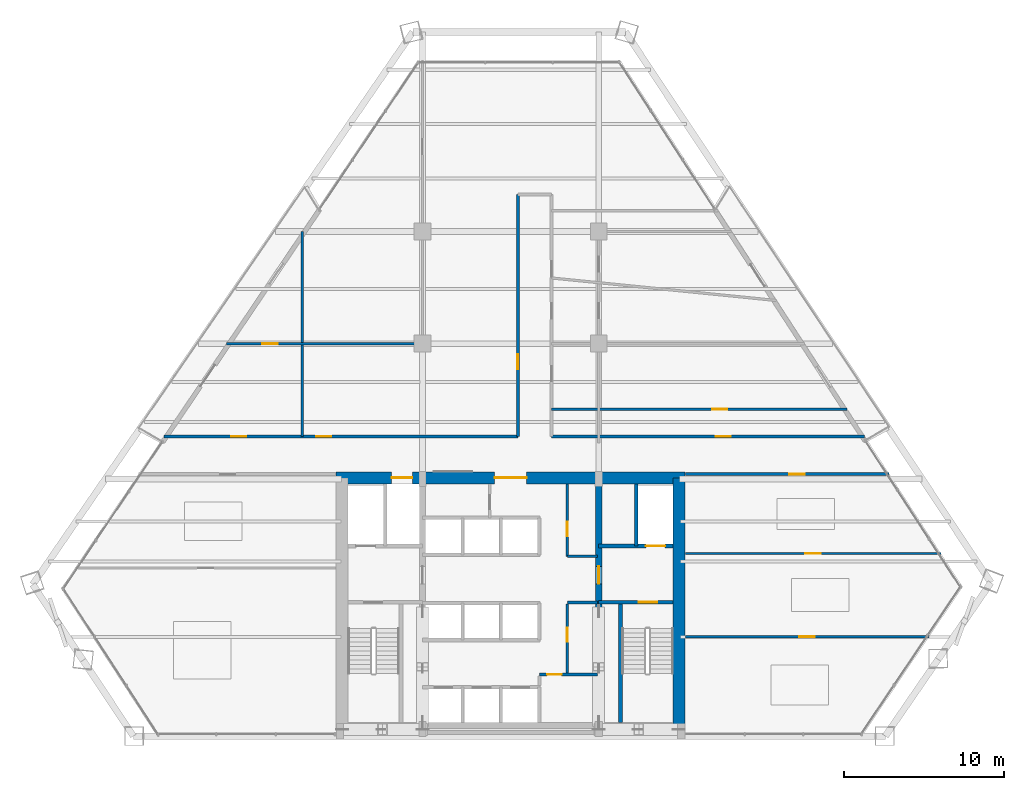
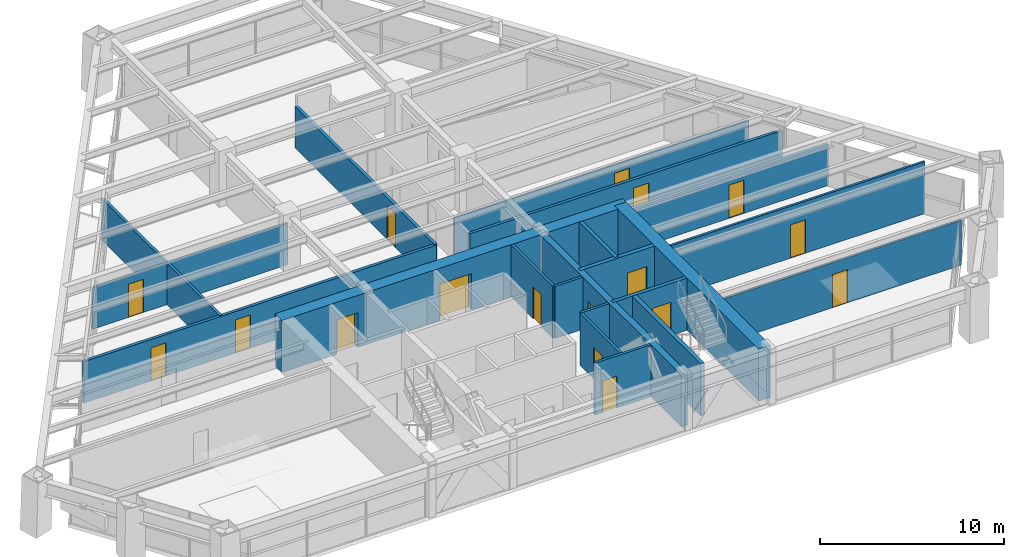
# One storey, part 11 of 14: 21 walls, 17 doors, 17 openings.
"""IFC4 building model written with IfcOpenShell, lengths in metres."""

from ifc_helpers import new_model, si_unit, direction, frame, frame_2d, origin, place, context, subcontext, project, spatial, rectangle, extrude, source, transform, mapped, material, layer, layer_set, type_object, type_shapes, element, fill, save


model = new_model("IFC4")

# Units and contexts
model_context = context("Model", 3, precision=1e-05, world=origin(), true_north=direction((0.0, 1.0)))
body_context = subcontext(model_context, "Body", "Model", "MODEL_VIEW")
ifc_project = project(units=[si_unit("LENGTHUNIT", "METRE"), si_unit("AREAUNIT", "SQUARE_METRE"), si_unit("VOLUMEUNIT", "CUBIC_METRE"), si_unit("PLANEANGLEUNIT", "RADIAN"), si_unit("MASSUNIT", "GRAM", prefix="KILO")], contexts=[model_context])

# Site, building, storey
site_placement = place(None, origin())
site = spatial("IfcSite", under=ifc_project, at=site_placement, CompositionType="ELEMENT")
building_placement = place(site_placement, origin())
building = spatial("IfcBuilding", under=site, at=building_placement, Name="Varnakhor Terracotta Tower", CompositionType="ELEMENT")
storey_placement = place(building_placement, frame((0.0, 0.0, 87.699951171875)))
storey = spatial("IfcBuildingStorey", under=building, at=storey_placement, Name="L21", CompositionType="ELEMENT", Elevation=87.699951171875)

# Wall, openings, doors
ifc_material_1 = material(Name="Concrete C60/75", Category="concrete")
ifc_layer_1 = layer(ifc_material_1, 0.75, Name="Concrete C60/75")
ifc_layer_set_1 = layer_set([ifc_layer_1], Name="Concrete C60/75")
wall_type_1 = type_object("IfcWallType", Name="WAL-CORE-750", PredefinedType="SHEAR", material=ifc_layer_set_1)
wall_1_placement = place(storey_placement, frame((-10.89990234375, 16.125, 0.0), z_axis=(0.0, 0.0, 1.0), x_axis=(1.0, 0.0, 0.0)))
wall_1 = element("IfcWall", 1, at=wall_1_placement, inside=storey, type_object=wall_type_1, Name="L21 North Core Shear Wall", PredefinedType="SHEAR", context=body_context, shape_type="SweptSolid", body=[
    extrude(rectangle(XDim=21.7998046875, YDim=0.75, at=frame_2d((10.89990234375, 0.0))), origin(), (0.0, 0.0, 1.0), 3.449951171875),
])
opening_1_placement = place(wall_1_placement, frame((3.469970703125, 0.0, 0.0)))
opening_1 = element("IfcOpeningElement", 2, at=opening_1_placement, cuts=wall_1, Name="Opening LD-03", PredefinedType="OPENING", context=body_context, shape_type="SweptSolid", body=[
    extrude(rectangle(XDim=1.300048828125, YDim=2.300048828125, at=frame_2d((0.64990234375, 1.14990234375))), frame((0.0, 0.385009765625, 0.0), z_axis=(0.0, -1.0, 0.0), x_axis=(1.0, 0.0, 0.0)), (0.0, 0.0, 1.0), 0.77001953125),
])
opening_2_placement = place(wall_1_placement, frame((9.89990234375, 0.0, 0.0)))
opening_2 = element("IfcOpeningElement", 3, at=opening_2_placement, cuts=wall_1, Name="Opening DR-32", PredefinedType="OPENING", context=body_context, shape_type="SweptSolid", body=[
    extrude(rectangle(XDim=2.0, YDim=2.39990234375, at=frame_2d((1.0, 1.199951171875))), frame((0.0, 0.385009765625, 0.0), z_axis=(0.0, -1.0, 0.0), x_axis=(1.0, 0.0, 0.0)), (0.0, 0.0, 1.0), 0.77001953125),
])
ifc_material_2 = material(Name="Heavy-Duty Goods Sliding Lift Landing Door", Category="steel")
door_type_1 = type_object("IfcDoorType", Name="LD-SRV-1300X2300", OperationType="NOTDEFINED", PredefinedType="DOOR", material=ifc_material_2)
shared_shape_1 = source(origin(), body_context, "Body", "SweptSolid", [
    extrude(rectangle(XDim=1.300048828125, YDim=2.300048828125, at=frame_2d((0.64990234375, 1.14990234375))), frame((0.0, 0.02490234375, 0.0), z_axis=(0.0, -1.0, 0.0), x_axis=(1.0, 0.0, 0.0)), (0.0, 0.0, 1.0), 0.050048828125),
])
type_shapes(door_type_1, [shared_shape_1])
door_1_placement = place(opening_1_placement, origin())
door_1 = element("IfcDoor", 4, at=door_1_placement, inside=storey, type_object=door_type_1, Name="L21 Service Lift SVL-1 Landing Door", OperationType="SLIDING_TO_RIGHT", OverallHeight=2.300048828125, OverallWidth=1.300048828125, PredefinedType="DOOR", context=body_context, shape_type="MappedRepresentation", body=[
    mapped(shared_shape_1, transform((0.0, 0.0, 0.0), scale=1.0)),
])
fill(opening_1, door_1)
ifc_material_3 = material(Name="Acoustic Double Assembly Fire Door", Category="wood")
door_type_2 = type_object("IfcDoorType", Name="DR-HALL-2000X2400", OperationType="NOTDEFINED", PredefinedType="DOOR", material=ifc_material_3)
shared_shape_2 = source(origin(), body_context, "Body", "SweptSolid", [
    extrude(rectangle(XDim=2.0, YDim=2.39990234375, at=frame_2d((1.0, 1.199951171875))), frame((0.0, 0.02490234375, 0.0), z_axis=(0.0, -1.0, 0.0), x_axis=(1.0, 0.0, 0.0)), (0.0, 0.0, 1.0), 0.050048828125),
])
type_shapes(door_type_2, [shared_shape_2])
door_2_placement = place(opening_2_placement, origin())
door_2 = element("IfcDoor", 5, at=door_2_placement, inside=storey, type_object=door_type_2, Name="L21 Core Main Lobby Double Door", OperationType="DOUBLE_DOOR_SINGLE_SWING", OverallHeight=2.39990234375, OverallWidth=2.0, PredefinedType="DOOR", context=body_context, shape_type="MappedRepresentation", body=[
    mapped(shared_shape_2, transform((0.0, 0.0, 0.0), scale=1.0)),
])
fill(opening_2, door_2)

# Wall
wall_2_placement = place(storey_placement, frame((10.52490234375, 0.47509765625, 0.0), z_axis=(0.0, 0.0, 1.0), x_axis=(0.0, 1.0, 0.0)))
element("IfcWall", 6, at=wall_2_placement, inside=storey, type_object=wall_type_1, Name="L21 East Core Shear Wall", PredefinedType="SHEAR", context=body_context, shape_type="SweptSolid", body=[
    extrude(rectangle(XDim=15.64990234375, YDim=0.75, at=frame_2d((7.824951171875, 0.0))), origin(), (0.0, 0.0, 1.0), 3.449951171875),
])

# Wall, opening, door
ifc_material_4 = material(Name="Concrete C50/60", Category="concrete")
ifc_layer_2 = layer(ifc_material_4, 0.39990234375, Name="Concrete C50/60")
ifc_layer_set_2 = layer_set([ifc_layer_2], Name="Concrete C50/60")
wall_type_2 = type_object("IfcWallType", Name="WAL-CORE-WEB-400", PredefinedType="SHEAR", material=ifc_layer_set_2)
wall_3_placement = place(storey_placement, frame((5.5, 0.47509765625, 0.0), z_axis=(0.0, 0.0, 1.0), x_axis=(0.0, 1.0, 0.0)))
wall_3 = element("IfcWall", 7, at=wall_3_placement, inside=storey, type_object=wall_type_2, Name="L21 East Core Web Shear Wall", PredefinedType="SHEAR", context=body_context, shape_type="SweptSolid", body=[
    extrude(rectangle(XDim=15.64990234375, YDim=0.39990234375, at=frame_2d((7.824951171875, 0.0))), origin(), (0.0, 0.0, 1.0), 3.449951171875),
])
opening_3_placement = place(wall_3_placement, frame((9.02490234375, 0.0, 0.0)))
opening_3 = element("IfcOpeningElement", 8, at=opening_3_placement, cuts=wall_3, Name="Opening DR-25", PredefinedType="OPENING", context=body_context, shape_type="SweptSolid", body=[
    extrude(rectangle(XDim=1.10009765625, YDim=2.199951171875, at=frame_2d((0.550048828125, 1.10009765625))), frame((0.0, 0.2099609375, 0.0), z_axis=(0.0, -1.0, 0.0), x_axis=(1.0, 0.0, 0.0)), (0.0, 0.0, 1.0), 0.419921875),
])
ifc_material_5 = material(Name="Firefighting Lobby Self-Closing Fire Door", Category="steel")
door_type_3 = type_object("IfcDoorType", Name="DR-FFL-1100X2200", OperationType="NOTDEFINED", PredefinedType="DOOR", material=ifc_material_5)
shared_shape_3 = source(origin(), body_context, "Body", "SweptSolid", [
    extrude(rectangle(XDim=1.10009765625, YDim=2.199951171875, at=frame_2d((0.550048828125, 1.10009765625))), frame((0.0, 0.02490234375, 0.0), z_axis=(0.0, -1.0, 0.0), x_axis=(1.0, 0.0, 0.0)), (0.0, 0.0, 1.0), 0.050048828125),
])
type_shapes(door_type_3, [shared_shape_3])
door_3_placement = place(opening_3_placement, origin())
door_3 = element("IfcDoor", 9, at=door_3_placement, inside=storey, type_object=door_type_3, Name="L21 East Firefighting Lobby Door", OperationType="SINGLE_SWING_LEFT", OverallHeight=2.199951171875, OverallWidth=1.10009765625, PredefinedType="DOOR", context=body_context, shape_type="MappedRepresentation", body=[
    mapped(shared_shape_3, transform((0.0, 0.0, 0.0), scale=1.0)),
])
fill(opening_3, door_3)

ifc_material_6 = material(Name="Fire-Rated Gypsum Stud Partition", Category="gypsum")
ifc_layer_3 = layer(ifc_material_6, 0.18505859375, Name="Fire-Rated Gypsum Stud Partition")
ifc_layer_set_3 = layer_set([ifc_layer_3], Name="Fire-Rated Gypsum Stud Partition")
wall_type_3 = type_object("IfcWallType", Name="WAL-CORR-185", PredefinedType="PARTITIONING", material=ifc_layer_set_3)
wall_4_placement = place(storey_placement, frame((10.919921875, 16.35009765625, 0.0), z_axis=(0.0, 0.0, 1.0), x_axis=(1.0, 0.0, 0.0)))
wall_4 = element("IfcWall", 10, at=wall_4_placement, inside=storey, type_object=wall_type_3, Name="L21 South East Corridor Wall", PredefinedType="PARTITIONING", context=body_context, shape_type="SweptSolid", body=[
    extrude(rectangle(XDim=12.71337890625, YDim=0.18505859375, at=frame_2d((6.356689453125, 0.0))), origin(), (0.0, 0.0, 1.0), 2.7470703125),
])
opening_4_placement = place(wall_4_placement, frame((6.4833984375, 0.0, 0.0)))
opening_4 = element("IfcOpeningElement", 11, at=opening_4_placement, cuts=wall_4, Name="Opening DR-94", PredefinedType="OPENING", context=body_context, shape_type="SweptSolid", body=[
    extrude(rectangle(XDim=0.949951171875, YDim=2.199951171875, at=frame_2d((0.47509765625, 1.10009765625))), frame((0.0, 0.1025390625, 0.0), z_axis=(0.0, -1.0, 0.0), x_axis=(1.0, 0.0, 0.0)), (0.0, 0.0, 1.0), 0.205078125),
])
ifc_material_7 = material(Name="Acoustic Glazed-Vision Timber Office Door", Category="wood")
door_type_4 = type_object("IfcDoorType", Name="DR-OFF-950X2200", OperationType="NOTDEFINED", PredefinedType="DOOR", material=ifc_material_7)
shared_shape_4 = source(origin(), body_context, "Body", "SweptSolid", [
    extrude(rectangle(XDim=0.949951171875, YDim=2.199951171875, at=frame_2d((0.47509765625, 1.10009765625))), frame((0.0, 0.02490234375, 0.0), z_axis=(0.0, -1.0, 0.0), x_axis=(1.0, 0.0, 0.0)), (0.0, 0.0, 1.0), 0.050048828125),
])
type_shapes(door_type_4, [shared_shape_4])
door_4_placement = place(opening_4_placement, origin())
door_4 = element("IfcDoor", 12, at=door_4_placement, inside=storey, type_object=door_type_4, Name="L21 SE Suite Door", OperationType="SINGLE_SWING_LEFT", OverallHeight=2.199951171875, OverallWidth=0.949951171875, PredefinedType="DOOR", context=body_context, shape_type="MappedRepresentation", body=[
    mapped(shared_shape_4, transform((0.0, 0.0, 0.0), scale=1.0)),
])
fill(opening_4, door_4)

# Wall, openings, doors
wall_5_placement = place(storey_placement, frame((-21.6435546875, 18.699951171875, 0.0), z_axis=(0.0, 0.0, 1.0), x_axis=(1.0, 0.0, 0.0)))
wall_5 = element("IfcWall", 13, at=wall_5_placement, inside=storey, type_object=wall_type_3, Name="L21 Corridor North West Wall", PredefinedType="PARTITIONING", context=body_context, shape_type="SweptSolid", body=[
    extrude(rectangle(XDim=22.093505859375, YDim=0.18505859375, at=frame_2d((11.046875, 0.0))), origin(), (0.0, 0.0, 1.0), 2.7470703125),
])
opening_5_placement = place(wall_5_placement, frame((9.501220703125, 0.0, 0.0)))
opening_5 = element("IfcOpeningElement", 14, at=opening_5_placement, cuts=wall_5, Name="Opening DR-94", PredefinedType="OPENING", context=body_context, shape_type="SweptSolid", body=[
    extrude(rectangle(XDim=0.949951171875, YDim=2.199951171875, at=frame_2d((0.47509765625, 1.10009765625))), frame((0.0, 0.1025390625, 0.0), z_axis=(0.0, -1.0, 0.0), x_axis=(1.0, 0.0, 0.0)), (0.0, 0.0, 1.0), 0.205078125),
])
opening_6_placement = place(wall_5_placement, frame((4.200927734375, 0.0, 0.0)))
opening_6 = element("IfcOpeningElement", 15, at=opening_6_placement, cuts=wall_5, Name="Opening DR-94", PredefinedType="OPENING", context=body_context, shape_type="SweptSolid", body=[
    extrude(rectangle(XDim=0.949951171875, YDim=2.199951171875, at=frame_2d((0.47509765625, 1.10009765625))), frame((0.0, 0.1025390625, 0.0), z_axis=(0.0, -1.0, 0.0), x_axis=(1.0, 0.0, 0.0)), (0.0, 0.0, 1.0), 0.205078125),
])
door_5_placement = place(opening_5_placement, origin())
door_5 = element("IfcDoor", 16, at=door_5_placement, inside=storey, type_object=door_type_4, Name="L21 West Workplace Door", OperationType="SINGLE_SWING_RIGHT", OverallHeight=2.199951171875, OverallWidth=0.949951171875, PredefinedType="DOOR", context=body_context, shape_type="MappedRepresentation", body=[
    mapped(shared_shape_4, transform((0.0, 0.0, 0.0), scale=1.0)),
])
fill(opening_5, door_5)
door_6_placement = place(opening_6_placement, origin())
door_6 = element("IfcDoor", 17, at=door_6_placement, inside=storey, type_object=door_type_4, Name="L21 Corporate Anchor Suite West Door", OperationType="SINGLE_SWING_RIGHT", OverallHeight=2.199951171875, OverallWidth=0.949951171875, PredefinedType="DOOR", context=body_context, shape_type="MappedRepresentation", body=[
    mapped(shared_shape_4, transform((0.0, 0.0, 0.0), scale=1.0)),
])
fill(opening_6, door_6)

# Wall, opening, door
wall_6_placement = place(storey_placement, frame((2.550048828125, 18.699951171875, 0.0), z_axis=(0.0, 0.0, 1.0), x_axis=(1.0, 0.0, 0.0)))
wall_6 = element("IfcWall", 18, at=wall_6_placement, inside=storey, type_object=wall_type_3, Name="L21 Corridor North East Wall", PredefinedType="PARTITIONING", context=body_context, shape_type="SweptSolid", body=[
    extrude(rectangle(XDim=19.555419921875, YDim=0.18505859375, at=frame_2d((9.77783203125, 0.0))), origin(), (0.0, 0.0, 1.0), 2.7470703125),
])
opening_7_placement = place(wall_6_placement, frame((10.24658203125, 0.0, 0.0)))
opening_7 = element("IfcOpeningElement", 19, at=opening_7_placement, cuts=wall_6, Name="Opening DR-94", PredefinedType="OPENING", context=body_context, shape_type="SweptSolid", body=[
    extrude(rectangle(XDim=0.949951171875, YDim=2.199951171875, at=frame_2d((0.47509765625, 1.10009765625))), frame((0.0, 0.1025390625, 0.0), z_axis=(0.0, -1.0, 0.0), x_axis=(1.0, 0.0, 0.0)), (0.0, 0.0, 1.0), 0.205078125),
])
door_7_placement = place(opening_7_placement, origin())
door_7 = element("IfcDoor", 20, at=door_7_placement, inside=storey, type_object=door_type_4, Name="L21 East Workplace Door", OperationType="SINGLE_SWING_LEFT", OverallHeight=2.199951171875, OverallWidth=0.949951171875, PredefinedType="DOOR", context=body_context, shape_type="MappedRepresentation", body=[
    mapped(shared_shape_4, transform((0.0, 0.0, 0.0), scale=1.0)),
])
fill(opening_7, door_7)

wall_7_placement = place(storey_placement, frame((0.449951171875, 18.699951171875, 0.0), z_axis=(0.0, 0.0, 1.0), x_axis=(0.0, 1.0, 0.0)))
wall_7 = element("IfcWall", 21, at=wall_7_placement, inside=storey, type_object=wall_type_3, Name="L21 Spine West Wall", PredefinedType="PARTITIONING", context=body_context, shape_type="SweptSolid", body=[
    extrude(rectangle(XDim=15.10009765625, YDim=0.18505859375, at=frame_2d((7.550048828125, 0.0))), origin(), (0.0, 0.0, 1.0), 2.7470703125),
])
opening_8_placement = place(wall_7_placement, frame((4.19091796875, 0.0, 0.0)))
opening_8 = element("IfcOpeningElement", 22, at=opening_8_placement, cuts=wall_7, Name="Opening DR-94", PredefinedType="OPENING", context=body_context, shape_type="SweptSolid", body=[
    extrude(rectangle(XDim=0.949951171875, YDim=2.199951171875, at=frame_2d((0.47509765625, 1.10009765625))), frame((0.0, 0.1025390625, 0.0), z_axis=(0.0, -1.0, 0.0), x_axis=(1.0, 0.0, 0.0)), (0.0, 0.0, 1.0), 0.205078125),
])
door_8_placement = place(opening_8_placement, origin())
door_8 = element("IfcDoor", 23, at=door_8_placement, inside=storey, type_object=door_type_4, Name="L21 Spine West Door", OperationType="SINGLE_SWING_RIGHT", OverallHeight=2.199951171875, OverallWidth=0.949951171875, PredefinedType="DOOR", context=body_context, shape_type="MappedRepresentation", body=[
    mapped(shared_shape_4, transform((0.0, 0.0, 0.0), scale=1.0)),
])
fill(opening_8, door_8)

ifc_material_8 = material(Name="Concrete C40/50", Category="concrete")
ifc_layer_4 = layer(ifc_material_8, 0.219970703125, Name="Concrete C40/50")
ifc_layer_set_4 = layer_set([ifc_layer_4], Name="Concrete C40/50")
wall_type_4 = type_object("IfcWallType", Name="WAL-FFLOBBY-220", PredefinedType="SOLIDWALL", material=ifc_layer_set_4)
wall_8_placement = place(storey_placement, frame((10.14990234375, 8.35009765625, 0.0), z_axis=(0.0, 0.0, 1.0), x_axis=(-1.0, 0.0, 0.0)))
wall_8 = element("IfcWall", 24, at=wall_8_placement, inside=storey, type_object=wall_type_4, Name="L21 East Firefighting Lobby Stair Wall", PredefinedType="SOLIDWALL", context=body_context, shape_type="SweptSolid", body=[
    extrude(rectangle(XDim=4.64990234375, YDim=0.219970703125, at=frame_2d((2.324951171875, 0.0))), origin(), (0.0, 0.0, 1.0), 3.449951171875),
])
opening_9_placement = place(wall_8_placement, frame((1.0, 0.0, 0.0)))
opening_9 = element("IfcOpeningElement", 25, at=opening_9_placement, cuts=wall_8, Name="Opening DR-34", PredefinedType="OPENING", context=body_context, shape_type="SweptSolid", body=[
    extrude(rectangle(XDim=1.14990234375, YDim=2.199951171875, at=frame_2d((0.574951171875, 1.10009765625))), frame((0.0, 0.1201171875, 0.0), z_axis=(0.0, -1.0, 0.0), x_axis=(1.0, 0.0, 0.0)), (0.0, 0.0, 1.0), 0.239990234375),
])
ifc_material_9 = material(Name="Self-Closing Smoke-Sealed Steel Fire Door", Category="steel")
door_type_5 = type_object("IfcDoorType", Name="DR-STAIR-1150X2200", OperationType="NOTDEFINED", PredefinedType="DOOR", material=ifc_material_9)
shared_shape_5 = source(origin(), body_context, "Body", "SweptSolid", [
    extrude(rectangle(XDim=1.14990234375, YDim=2.199951171875, at=frame_2d((0.574951171875, 1.10009765625))), frame((0.0, 0.02490234375, 0.0), z_axis=(0.0, -1.0, 0.0), x_axis=(1.0, 0.0, 0.0)), (0.0, 0.0, 1.0), 0.050048828125),
])
type_shapes(door_type_5, [shared_shape_5])
door_9_placement = place(opening_9_placement, origin())
door_9 = element("IfcDoor", 26, at=door_9_placement, inside=storey, type_object=door_type_5, Name="L21 Exit Stair ST-2 Fire Door", OperationType="SINGLE_SWING_RIGHT", OverallHeight=2.199951171875, OverallWidth=1.14990234375, PredefinedType="DOOR", context=body_context, shape_type="MappedRepresentation", body=[
    mapped(shared_shape_5, transform((0.0, 0.0, 0.0), scale=1.0)),
])
fill(opening_9, door_9)

ifc_material_10 = material(Name="Acoustic Metal-Stud Partition", Category="gypsum")
ifc_layer_5 = layer(ifc_material_10, 0.139892578125, Name="Acoustic Metal-Stud Partition")
ifc_layer_set_5 = layer_set([ifc_layer_5], Name="Acoustic Metal-Stud Partition")
wall_type_5 = type_object("IfcWallType", Name="WAL-PART-140", PredefinedType="PARTITIONING", material=ifc_layer_set_5)
wall_9_placement = place(storey_placement, frame((-17.72998046875, 24.5, 0.0), z_axis=(0.0, 0.0, 1.0), x_axis=(1.0, 0.0, 0.0)))
wall_9 = element("IfcWall", 27, at=wall_9_placement, inside=storey, type_object=wall_type_5, Name="L21 Mid West Column Wall", PredefinedType="PARTITIONING", context=body_context, shape_type="SweptSolid", body=[
    extrude(rectangle(XDim=12.22998046875, YDim=0.139892578125, at=frame_2d((6.114990234375, 0.0))), origin(), (0.0, 0.0, 1.0), 2.7470703125),
])
opening_10_placement = place(wall_9_placement, frame((2.234619140625, 0.0, 0.0)))
opening_10 = element("IfcOpeningElement", 28, at=opening_10_placement, cuts=wall_9, Name="Opening DR-94", PredefinedType="OPENING", context=body_context, shape_type="SweptSolid", body=[
    extrude(rectangle(XDim=0.949951171875, YDim=2.199951171875, at=frame_2d((0.47509765625, 1.10009765625))), frame((0.0, 0.080078125, 0.0), z_axis=(0.0, -1.0, 0.0), x_axis=(1.0, 0.0, 0.0)), (0.0, 0.0, 1.0), 0.159912109375),
])
door_10_placement = place(opening_10_placement, origin())
door_10 = element("IfcDoor", 29, at=door_10_placement, inside=storey, type_object=door_type_4, Name="L21 Advisory Office E3 Door", OperationType="SINGLE_SWING_RIGHT", OverallHeight=2.199951171875, OverallWidth=0.949951171875, PredefinedType="DOOR", context=body_context, shape_type="MappedRepresentation", body=[
    mapped(shared_shape_4, transform((0.0, 0.0, 0.0), scale=1.0)),
])
fill(opening_10, door_10)

wall_10_placement = place(storey_placement, frame((2.550048828125, 20.39990234375, 0.0), z_axis=(0.0, 0.0, 1.0), x_axis=(1.0, 0.0, 0.0)))
wall_10 = element("IfcWall", 30, at=wall_10_placement, inside=storey, type_object=wall_type_5, Name="L21 East Wing Cut 1", PredefinedType="PARTITIONING", context=body_context, shape_type="SweptSolid", body=[
    extrude(rectangle(XDim=18.450439453125, YDim=0.139892578125, at=frame_2d((9.22509765625, 0.0))), origin(), (0.0, 0.0, 1.0), 2.7470703125),
])
opening_11_placement = place(wall_10_placement, frame((10.028564453125, 0.0, 0.0)))
opening_11 = element("IfcOpeningElement", 31, at=opening_11_placement, cuts=wall_10, Name="Opening DR-94", PredefinedType="OPENING", context=body_context, shape_type="SweptSolid", body=[
    extrude(rectangle(XDim=0.949951171875, YDim=2.199951171875, at=frame_2d((0.47509765625, 1.10009765625))), frame((0.0, 0.080078125, 0.0), z_axis=(0.0, -1.0, 0.0), x_axis=(1.0, 0.0, 0.0)), (0.0, 0.0, 1.0), 0.159912109375),
])
door_11_placement = place(opening_11_placement, origin())
door_11 = element("IfcDoor", 32, at=door_11_placement, inside=storey, type_object=door_type_4, Name="L21 Advisory Office E1 B9 Door", OperationType="SINGLE_SWING_LEFT", OverallHeight=2.199951171875, OverallWidth=0.949951171875, PredefinedType="DOOR", context=body_context, shape_type="MappedRepresentation", body=[
    mapped(shared_shape_4, transform((0.0, 0.0, 0.0), scale=1.0)),
])
fill(opening_11, door_11)

wall_11_placement = place(storey_placement, frame((10.919921875, 6.199951171875, 0.0), z_axis=(0.0, 0.0, 1.0), x_axis=(1.0, 0.0, 0.0)))
wall_11 = element("IfcWall", 33, at=wall_11_placement, inside=storey, type_object=wall_type_5, Name="L21 South East Cut 1", PredefinedType="PARTITIONING", context=body_context, shape_type="SweptSolid", body=[
    extrude(rectangle(XDim=15.188720703125, YDim=0.139892578125, at=frame_2d((7.59423828125, 0.0))), origin(), (0.0, 0.0, 1.0), 2.97900390625),
])
opening_12_placement = place(wall_11_placement, frame((7.107177734375, 0.0, 0.0)))
opening_12 = element("IfcOpeningElement", 34, at=opening_12_placement, cuts=wall_11, Name="Opening DR-94", PredefinedType="OPENING", context=body_context, shape_type="SweptSolid", body=[
    extrude(rectangle(XDim=0.949951171875, YDim=2.199951171875, at=frame_2d((0.47509765625, 1.10009765625))), frame((0.0, 0.080078125, 0.0), z_axis=(0.0, -1.0, 0.0), x_axis=(1.0, 0.0, 0.0)), (0.0, 0.0, 1.0), 0.159912109375),
])
door_12_placement = place(opening_12_placement, origin())
door_12 = element("IfcDoor", 35, at=door_12_placement, inside=storey, type_object=door_type_4, Name="L21 South East Conference Room Door", OperationType="SINGLE_SWING_RIGHT", OverallHeight=2.199951171875, OverallWidth=0.949951171875, PredefinedType="DOOR", context=body_context, shape_type="MappedRepresentation", body=[
    mapped(shared_shape_4, transform((0.0, 0.0, 0.0), scale=1.0)),
])
fill(opening_12, door_12)

wall_12_placement = place(storey_placement, frame((10.919921875, 11.39990234375, 0.0), z_axis=(0.0, 0.0, 1.0), x_axis=(1.0, 0.0, 0.0)))
wall_12 = element("IfcWall", 36, at=wall_12_placement, inside=storey, type_object=wall_type_5, Name="L21 South East Cut 2", PredefinedType="PARTITIONING", context=body_context, shape_type="SweptSolid", body=[
    extrude(rectangle(XDim=15.93115234375, YDim=0.139892578125, at=frame_2d((7.965576171875, 0.0))), origin(), (0.0, 0.0, 1.0), 3.442138671875),
])
opening_13_placement = place(wall_12_placement, frame((7.481201171875, 0.0, 0.0)))
opening_13 = element("IfcOpeningElement", 37, at=opening_13_placement, cuts=wall_12, Name="Opening DR-94", PredefinedType="OPENING", context=body_context, shape_type="SweptSolid", body=[
    extrude(rectangle(XDim=0.949951171875, YDim=2.199951171875, at=frame_2d((0.47509765625, 1.10009765625))), frame((0.0, 0.080078125, 0.0), z_axis=(0.0, -1.0, 0.0), x_axis=(1.0, 0.0, 0.0)), (0.0, 0.0, 1.0), 0.159912109375),
])
door_13_placement = place(opening_13_placement, origin())
door_13 = element("IfcDoor", 38, at=door_13_placement, inside=storey, type_object=door_type_4, Name="L21 Advisory Office E3 B3 Door", OperationType="SINGLE_SWING_LEFT", OverallHeight=2.199951171875, OverallWidth=0.949951171875, PredefinedType="DOOR", context=body_context, shape_type="MappedRepresentation", body=[
    mapped(shared_shape_4, transform((0.0, 0.0, 0.0), scale=1.0)),
])
fill(opening_13, door_13)

# Walls
ifc_layer_6 = layer(ifc_material_8, 0.219970703125, Name="Concrete C40/50")
ifc_layer_set_6 = layer_set([ifc_layer_6], Name="Concrete C40/50")
wall_type_6 = type_object("IfcWallType", Name="WAL-SHAFT-220", PredefinedType="SOLIDWALL", material=ifc_layer_set_6)
wall_13_placement = place(storey_placement, frame((7.840087890625, 11.8701171875, 0.0), z_axis=(0.0, 0.0, 1.0), x_axis=(0.0, 1.0, 0.0)))
element("IfcWall", 39, at=wall_13_placement, inside=storey, type_object=wall_type_6, Name="L21 Lift FFL-2 and Riser Divider Wall", PredefinedType="SOLIDWALL", context=body_context, shape_type="SweptSolid", body=[
    extrude(rectangle(XDim=3.8798828125, YDim=0.219970703125, at=frame_2d((1.93994140625, 0.0))), origin(), (0.0, 0.0, 1.0), 3.449951171875),
])
ifc_layer_7 = layer(ifc_material_8, 0.25, Name="Concrete C40/50")
ifc_layer_set_7 = layer_set([ifc_layer_7], Name="Concrete C40/50")
wall_type_7 = type_object("IfcWallType", Name="WAL-SHAFT-250", PredefinedType="SOLIDWALL", material=ifc_layer_set_7)
wall_14_placement = place(storey_placement, frame((6.85009765625, 0.85009765625, 0.0), z_axis=(0.0, 0.0, 1.0), x_axis=(0.0, 1.0, 0.0)))
element("IfcWall", 40, at=wall_14_placement, inside=storey, type_object=wall_type_7, Name="L21 Stair ST-2 Bearing Shaft Wall", PredefinedType="SOLIDWALL", context=body_context, shape_type="SweptSolid", body=[
    extrude(rectangle(XDim=7.5, YDim=0.25, at=frame_2d((3.75, 0.0))), origin(), (0.0, 0.0, 1.0), 3.449951171875),
])

# Wall, opening, door
wall_15_placement = place(storey_placement, frame((10.14990234375, 11.8701171875, 0.0), z_axis=(0.0, 0.0, 1.0), x_axis=(-1.0, 0.0, 0.0)))
wall_15 = element("IfcWall", 41, at=wall_15_placement, inside=storey, type_object=wall_type_7, Name="L21 Lift FFL-2 Shaft Front Wall", PredefinedType="SOLIDWALL", context=body_context, shape_type="SweptSolid", body=[
    extrude(rectangle(XDim=4.64990234375, YDim=0.25, at=frame_2d((2.324951171875, 0.0))), origin(), (0.0, 0.0, 1.0), 3.449951171875),
])
opening_14_placement = place(wall_15_placement, frame((0.5, 0.0, 0.0)))
opening_14 = element("IfcOpeningElement", 42, at=opening_14_placement, cuts=wall_15, Name="Opening LD-02", PredefinedType="OPENING", context=body_context, shape_type="SweptSolid", body=[
    extrude(rectangle(XDim=1.199951171875, YDim=2.25, at=frame_2d((0.60009765625, 1.125))), frame((0.0, 0.135009765625, 0.0), z_axis=(0.0, -1.0, 0.0), x_axis=(1.0, 0.0, 0.0)), (0.0, 0.0, 1.0), 0.27001953125),
])
ifc_material_11 = material(Name="Firefighting Stretcher Sliding Lift Landing Door", Category="steel")
door_type_6 = type_object("IfcDoorType", Name="LD-FFL-1200X2250", OperationType="NOTDEFINED", PredefinedType="DOOR", material=ifc_material_11)
shared_shape_6 = source(origin(), body_context, "Body", "SweptSolid", [
    extrude(rectangle(XDim=1.199951171875, YDim=2.25, at=frame_2d((0.60009765625, 1.125))), frame((0.0, 0.02490234375, 0.0), z_axis=(0.0, -1.0, 0.0), x_axis=(1.0, 0.0, 0.0)), (0.0, 0.0, 1.0), 0.050048828125),
])
type_shapes(door_type_6, [shared_shape_6])
door_14_placement = place(opening_14_placement, origin())
door_14 = element("IfcDoor", 43, at=door_14_placement, inside=storey, type_object=door_type_6, Name="L21 Firefighting Lift FFL-2 Landing Door", OperationType="SLIDING_TO_RIGHT", OverallHeight=2.25, OverallWidth=1.199951171875, PredefinedType="DOOR", context=body_context, shape_type="MappedRepresentation", body=[
    mapped(shared_shape_6, transform((0.0, 0.0, 0.0), scale=1.0)),
])
fill(opening_14, door_14)

ifc_material_12 = material(Name="Acoustic Fire-Rated Partition", Category="gypsum")
ifc_layer_8 = layer(ifc_material_12, 0.1650390625, Name="Acoustic Fire-Rated Partition")
ifc_layer_set_8 = layer_set([ifc_layer_8], Name="Acoustic Fire-Rated Partition")
wall_type_8 = type_object("IfcWallType", Name="WAL-TENANCY-165", PredefinedType="PARTITIONING", material=ifc_layer_set_8)
wall_16_placement = place(storey_placement, frame((3.5400390625, 3.9326171875, 0.0), z_axis=(0.0, 0.0, 1.0), x_axis=(0.0, 1.0, 0.0)))
wall_16 = element("IfcWall", 44, at=wall_16_placement, inside=storey, type_object=wall_type_8, Name="L21 Core Service Rated Wall", PredefinedType="PARTITIONING", context=body_context, shape_type="SweptSolid", body=[
    extrude(rectangle(XDim=4.324951171875, YDim=0.1650390625, at=frame_2d((2.16259765625, 0.0))), origin(), (0.0, 0.0, 1.0), 3.442138671875),
])
opening_15_placement = place(wall_16_placement, frame((1.9462890625, 0.0, 0.0)))
opening_15 = element("IfcOpeningElement", 45, at=opening_15_placement, cuts=wall_16, Name="Opening DR-67", PredefinedType="OPENING", context=body_context, shape_type="SweptSolid", body=[
    extrude(rectangle(XDim=0.89990234375, YDim=2.10009765625, at=frame_2d((0.449951171875, 1.050048828125))), frame((0.0, 0.092529296875, 0.0), z_axis=(0.0, -1.0, 0.0), x_axis=(1.0, 0.0, 0.0)), (0.0, 0.0, 1.0), 0.18505859375),
])
ifc_material_13 = material(Name="Steel Service Riser Fire Door", Category="steel")
door_type_7 = type_object("IfcDoorType", Name="DR-RISER-900X2100", OperationType="NOTDEFINED", PredefinedType="DOOR", material=ifc_material_13)
shared_shape_7 = source(origin(), body_context, "Body", "SweptSolid", [
    extrude(rectangle(XDim=0.89990234375, YDim=2.10009765625, at=frame_2d((0.449951171875, 1.050048828125))), frame((0.0, 0.02490234375, 0.0), z_axis=(0.0, -1.0, 0.0), x_axis=(1.0, 0.0, 0.0)), (0.0, 0.0, 1.0), 0.050048828125),
])
type_shapes(door_type_7, [shared_shape_7])
door_15_placement = place(opening_15_placement, origin())
door_15 = element("IfcDoor", 46, at=door_15_placement, inside=storey, type_object=door_type_7, Name="L21 Core Accessible WC Door", OperationType="SINGLE_SWING_LEFT", OverallHeight=2.10009765625, OverallWidth=0.89990234375, PredefinedType="DOOR", context=body_context, shape_type="MappedRepresentation", body=[
    mapped(shared_shape_7, transform((0.0, 0.0, 0.0), scale=1.0)),
])
fill(opening_15, door_15)

# Wall
wall_17_placement = place(storey_placement, frame((3.5400390625, 8.340087890625, 0.0), z_axis=(0.0, 0.0, 1.0), x_axis=(1.0, 0.0, 0.0)))
element("IfcWall", 47, at=wall_17_placement, inside=storey, type_object=wall_type_8, Name="L21 Accessible WC North Wall", PredefinedType="PARTITIONING", context=body_context, shape_type="SweptSolid", body=[
    extrude(rectangle(XDim=1.8798828125, YDim=0.1650390625, at=frame_2d((0.93994140625, 0.0))), origin(), (0.0, 0.0, 1.0), 3.442138671875),
])

# Wall, opening, door
wall_18_placement = place(storey_placement, frame((1.800048828125, 3.85009765625, 0.0), z_axis=(0.0, 0.0, 1.0), x_axis=(1.0, 0.0, 0.0)))
wall_18 = element("IfcWall", 48, at=wall_18_placement, inside=storey, type_object=wall_type_8, Name="L21 Core South Service Rated Wall", PredefinedType="PARTITIONING", context=body_context, shape_type="SweptSolid", body=[
    extrude(rectangle(XDim=3.619873046875, YDim=0.1650390625, at=frame_2d((1.81005859375, 0.0))), origin(), (0.0, 0.0, 1.0), 3.442138671875),
])
opening_16_placement = place(wall_18_placement, frame((0.47998046875, 0.0, 0.0)))
opening_16 = element("IfcOpeningElement", 49, at=opening_16_placement, cuts=wall_18, Name="Opening DR-67", PredefinedType="OPENING", context=body_context, shape_type="SweptSolid", body=[
    extrude(rectangle(XDim=0.89990234375, YDim=2.10009765625, at=frame_2d((0.449951171875, 1.050048828125))), frame((0.0, 0.092529296875, 0.0), z_axis=(0.0, -1.0, 0.0), x_axis=(1.0, 0.0, 0.0)), (0.0, 0.0, 1.0), 0.18505859375),
])
door_16_placement = place(opening_16_placement, origin())
door_16 = element("IfcDoor", 50, at=door_16_placement, inside=storey, type_object=door_type_7, Name="L21 Core IT Room Door", OperationType="SINGLE_SWING_RIGHT", OverallHeight=2.10009765625, OverallWidth=0.89990234375, PredefinedType="DOOR", context=body_context, shape_type="MappedRepresentation", body=[
    mapped(shared_shape_7, transform((0.0, 0.0, 0.0), scale=1.0)),
])
fill(opening_16, door_16)

wall_19_placement = place(storey_placement, frame((3.5400390625, 11.219970703125, 0.0), z_axis=(0.0, 0.0, 1.0), x_axis=(0.0, 1.0, 0.0)))
wall_19 = element("IfcWall", 51, at=wall_19_placement, inside=storey, type_object=wall_type_8, Name="L21 Restroom Corridor Wall", PredefinedType="PARTITIONING", context=body_context, shape_type="SweptSolid", body=[
    extrude(rectangle(XDim=4.530029296875, YDim=0.1650390625, at=frame_2d((2.26513671875, 0.0))), origin(), (0.0, 0.0, 1.0), 3.442138671875),
])
opening_17_placement = place(wall_19_placement, frame((1.25, 0.0, 0.0)))
opening_17 = element("IfcOpeningElement", 52, at=opening_17_placement, cuts=wall_19, Name="Opening DR-67", PredefinedType="OPENING", context=body_context, shape_type="SweptSolid", body=[
    extrude(rectangle(XDim=0.89990234375, YDim=2.10009765625, at=frame_2d((0.449951171875, 1.050048828125))), frame((0.0, 0.092529296875, 0.0), z_axis=(0.0, -1.0, 0.0), x_axis=(1.0, 0.0, 0.0)), (0.0, 0.0, 1.0), 0.18505859375),
])
door_17_placement = place(opening_17_placement, origin())
door_17 = element("IfcDoor", 53, at=door_17_placement, inside=storey, type_object=door_type_7, Name="L21 Female WC Door", OperationType="SINGLE_SWING_LEFT", OverallHeight=2.10009765625, OverallWidth=0.89990234375, PredefinedType="DOOR", context=body_context, shape_type="MappedRepresentation", body=[
    mapped(shared_shape_7, transform((0.0, 0.0, 0.0), scale=1.0)),
])
fill(opening_17, door_17)

# Walls
wall_20_placement = place(storey_placement, frame((3.5400390625, 11.219970703125, 0.0), z_axis=(0.0, 0.0, 1.0), x_axis=(1.0, 0.0, 0.0)))
element("IfcWall", 54, at=wall_20_placement, inside=storey, type_object=wall_type_8, Name="L21 Restroom South Wall", PredefinedType="PARTITIONING", context=body_context, shape_type="SweptSolid", body=[
    extrude(rectangle(XDim=1.8798828125, YDim=0.1650390625, at=frame_2d((0.93994140625, 0.0))), origin(), (0.0, 0.0, 1.0), 3.442138671875),
])
wall_21_placement = place(storey_placement, frame((-13.0, 18.699951171875, 0.0), z_axis=(0.0, 0.0, 1.0), x_axis=(0.0, 1.0, 0.0)))
element("IfcWall", 55, at=wall_21_placement, inside=storey, type_object=wall_type_8, Name="L21 West Cellular Line", PredefinedType="PARTITIONING", context=body_context, shape_type="SweptSolid", body=[
    extrude(rectangle(XDim=12.809814453125, YDim=0.1650390625, at=frame_2d((6.40478515625, 0.0))), origin(), (0.0, 0.0, 1.0), 2.7470703125),
])

save(model, "model.ifc")
